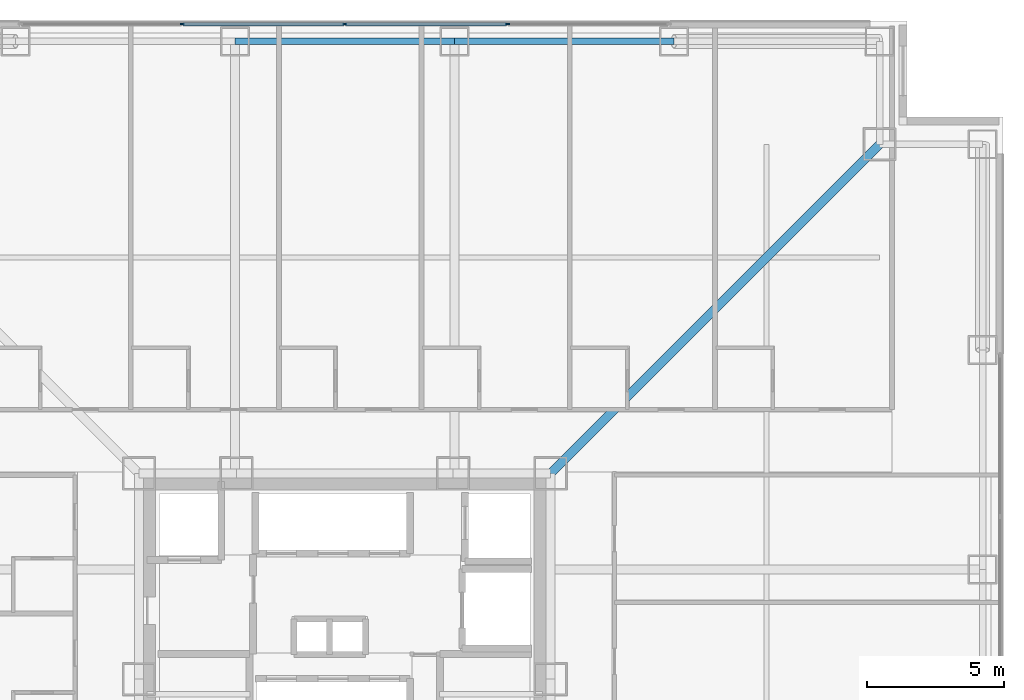
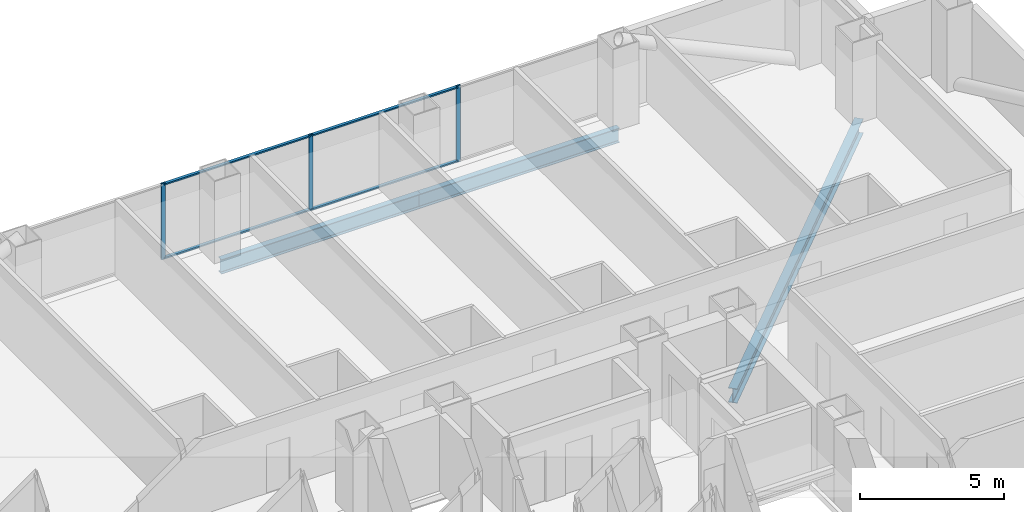
# One storey, part 14 of 23: 7 members, 3 beams, 1 element without a shape of its own.
"""IFC4 building model written with IfcOpenShell, lengths in metres."""

from ifc_helpers import new_model, si_unit, direction, frame, origin, origin_2d, place, context, subcontext, project, spatial, rectangle, i_section, extrude, material, layer, layer_set, material_profile, profile_set, type_object, element, aggregate, save


model = new_model("IFC4")

# Units and contexts
model_context = context("Model", 3, precision=1e-05, world=origin(), true_north=direction((0.0, 1.0)))
body_context = subcontext(model_context, "Body", "Model", "MODEL_VIEW")
ifc_project = project(units=[si_unit("LENGTHUNIT", "METRE"), si_unit("AREAUNIT", "SQUARE_METRE"), si_unit("VOLUMEUNIT", "CUBIC_METRE"), si_unit("PLANEANGLEUNIT", "RADIAN"), si_unit("MASSUNIT", "GRAM", prefix="KILO")], contexts=[model_context])

# Site, building, storey
site_placement = place(None, origin())
site = spatial("IfcSite", under=ifc_project, at=site_placement, CompositionType="ELEMENT")
building_placement = place(site_placement, origin())
building = spatial("IfcBuilding", under=site, at=building_placement, Name="Trevonay Congress Spire", CompositionType="ELEMENT")
storey_placement = place(building_placement, frame((0.0, 0.0, 34.0)))
storey = spatial("IfcBuildingStorey", under=building, at=storey_placement, Name="L07", CompositionType="ELEMENT", Elevation=34.0)

# Beams
ifc_material_1 = material(Name="Steel ASTM A572 Grade 50", Category="steel")
ifc_material_profile_1 = material_profile(ifc_material_1, i_section(OverallWidth=0.324951171875, OverallDepth=0.615966796875, WebThickness=0.013916015625, FlangeThickness=0.021484375, FilletRadius=0.01806640625, at=origin_2d()), Name="W610x174")
ifc_profile_set_1 = profile_set([ifc_material_profile_1], Name="Steel ASTM A572 Grade 50")
beam_type_1 = type_object("IfcBeamType", Name="BM-GIRD-W610X174", PredefinedType="BEAM", material=ifc_profile_set_1)
beam_placement = place(storey_placement, frame((7.5, 7.5, -0.55810546875), z_axis=(0.707106781187, 0.707106781187, 0.0), x_axis=(-0.707106781187, 0.707106781187, 0.0)))
element("IfcBeam", 1, at=beam_placement, inside=storey, type_object=beam_type_1, Name="L07 structural beam BM-L07-CDNE", PredefinedType="BEAM", context=body_context, shape_type="SweptSolid", body=[
    extrude(i_section(OverallWidth=0.324951171875, OverallDepth=0.615966796875, WebThickness=0.013916015625, FlangeThickness=0.021484375, FilletRadius=0.01806640625, at=origin_2d()), origin(), (0.0, 0.0, 1.0), 16.970458984375),
])
ifc_material_profile_2 = material_profile(ifc_material_1, i_section(OverallWidth=0.22998046875, OverallDepth=0.616943359375, WebThickness=0.01318359375, FlangeThickness=0.022216796875, FilletRadius=0.01611328125, at=origin_2d()), Name="W610x140")
ifc_profile_set_2 = profile_set([ifc_material_profile_2], Name="Steel ASTM A572 Grade 50")
beam_type_2 = type_object("IfcBeamType", Name="BM-RING-W610X140", PredefinedType="BEAM", material=ifc_profile_set_2)
for number, where, z_axis, x_axis, name in (
    (2, (-4.0, 23.25, -0.55859375), (1.0, 0.0, 0.0), (0.0, 1.0, 0.0), "L07 structural beam BM-L07-PN3"),
    (3, (4.0, 23.25, -0.55859375), (1.0, 0.0, 0.0), (0.0, 1.0, 0.0), "L07 structural beam BM-L07-PN4"),
):
    element("IfcBeam", number, at=place(storey_placement, frame(where, z_axis=z_axis, x_axis=x_axis)), inside=storey, type_object=beam_type_2, Name=name, PredefinedType="BEAM", context=body_context, shape_type="SweptSolid", body=[
        extrude(i_section(OverallWidth=0.22998046875, OverallDepth=0.616943359375, WebThickness=0.01318359375, FlangeThickness=0.022216796875, FilletRadius=0.01611328125, at=origin_2d()), origin(), (0.0, 0.0, 1.0), 8.0),
    ])

# Curtain wall, members
ifc_material_2 = material(Name="Pale Anodised Aluminium EN AW-6063-T6", Category="aluminium")
ifc_layer = layer(ifc_material_2, 0.179931640625, Name="Pale Anodised Aluminium EN AW-6063-T6")
ifc_layer_set = layer_set([ifc_layer], Name="Pale Anodised Aluminium EN AW-6063-T6")
curtain_wall_type = type_object("IfcCurtainWallType", Name="CW-SYS02-HOTEL-PALE-METAL", PredefinedType="NOTDEFINED", material=ifc_layer_set)
curtain_wall_placement = place(storey_placement, origin())
curtain_wall = element("IfcCurtainWall", 4, at=curtain_wall_placement, inside=storey, type_object=curtain_wall_type, Name="L07 N unitised curtain wall", PredefinedType="NOTDEFINED")
ifc_material_profile_3 = material_profile(ifc_material_2, rectangle(XDim=0.06005859375, YDim=0.159912109375, at=origin_2d()), Name="CW-MULLION-160-ALUMINIUM")
ifc_profile_set_3 = profile_set([ifc_material_profile_3], Name="Pale Anodised Aluminium EN AW-6063-T6")
member_type_1 = type_object("IfcMemberType", Name="CW-MULLION-160-ALUMINIUM", PredefinedType="MULLION", material=ifc_profile_set_3)
member_1_placement = place(storey_placement, frame((-5.925048828125, 23.8798828125, 0.0), z_axis=(0.0, 0.0, 1.0), x_axis=(0.0, 1.0, 0.0)))
member_1 = element("IfcMember", 5, at=member_1_placement, type_object=member_type_1, Name="CW02 mullion 2", PredefinedType="MULLION", context=body_context, shape_type="SweptSolid", body=[
    extrude(rectangle(XDim=0.06005859375, YDim=0.159912109375, at=origin_2d()), origin(), (0.0, 0.0, 1.0), 3.25),
])
member_2_placement = place(storey_placement, frame((0.0, 23.8798828125, 0.0), z_axis=(0.0, 0.0, 1.0), x_axis=(0.0, 1.0, 0.0)))
member_2 = element("IfcMember", 6, at=member_2_placement, type_object=member_type_1, Name="CW02 mullion 3", PredefinedType="MULLION", context=body_context, shape_type="SweptSolid", body=[
    extrude(rectangle(XDim=0.06005859375, YDim=0.159912109375, at=origin_2d()), origin(), (0.0, 0.0, 1.0), 3.25),
])
member_3_placement = place(storey_placement, frame((5.925048828125, 23.8798828125, 0.0), z_axis=(0.0, 0.0, 1.0), x_axis=(0.0, 1.0, 0.0)))
member_3 = element("IfcMember", 7, at=member_3_placement, type_object=member_type_1, Name="CW02 mullion 4", PredefinedType="MULLION", context=body_context, shape_type="SweptSolid", body=[
    extrude(rectangle(XDim=0.06005859375, YDim=0.159912109375, at=origin_2d()), origin(), (0.0, 0.0, 1.0), 3.25),
])
ifc_material_profile_4 = material_profile(ifc_material_2, rectangle(XDim=0.1201171875, YDim=0.06005859375, at=origin_2d()), Name="CW-TRANSOM-120-ALUMINIUM")
ifc_profile_set_4 = profile_set([ifc_material_profile_4], Name="Pale Anodised Aluminium EN AW-6063-T6")
member_type_2 = type_object("IfcMemberType", Name="CW-TRANSOM-120-ALUMINIUM", PredefinedType="USERDEFINED", material=ifc_profile_set_4)
member_4_placement = place(storey_placement, frame((-5.89501953125, 23.8798828125, 0.06005859375), z_axis=(1.0, 0.0, 0.0), x_axis=(0.0, 1.0, 0.0)))
member_4 = element("IfcMember", 8, at=member_4_placement, type_object=member_type_2, Name="CW02 transom 2.1", ObjectType="TRANSOM", PredefinedType="USERDEFINED", context=body_context, shape_type="SweptSolid", body=[
    extrude(rectangle(XDim=0.1201171875, YDim=0.06005859375, at=origin_2d()), origin(), (0.0, 0.0, 1.0), 5.864990234375),
])
member_5_placement = place(storey_placement, frame((-5.89501953125, 23.8798828125, 3.18994140625), z_axis=(1.0, 0.0, 0.0), x_axis=(0.0, 1.0, 0.0)))
member_5 = element("IfcMember", 9, at=member_5_placement, type_object=member_type_2, Name="CW02 transom 2.2", ObjectType="TRANSOM", PredefinedType="USERDEFINED", context=body_context, shape_type="SweptSolid", body=[
    extrude(rectangle(XDim=0.1201171875, YDim=0.06005859375, at=origin_2d()), origin(), (0.0, 0.0, 1.0), 5.864990234375),
])
member_6_placement = place(storey_placement, frame((0.030029296875, 23.8798828125, 0.06005859375), z_axis=(1.0, 0.0, 0.0), x_axis=(0.0, 1.0, 0.0)))
member_6 = element("IfcMember", 10, at=member_6_placement, type_object=member_type_2, Name="CW02 transom 3.1", ObjectType="TRANSOM", PredefinedType="USERDEFINED", context=body_context, shape_type="SweptSolid", body=[
    extrude(rectangle(XDim=0.1201171875, YDim=0.06005859375, at=origin_2d()), origin(), (0.0, 0.0, 1.0), 5.864990234375),
])
member_7_placement = place(storey_placement, frame((0.030029296875, 23.8798828125, 3.18994140625), z_axis=(1.0, 0.0, 0.0), x_axis=(0.0, 1.0, 0.0)))
member_7 = element("IfcMember", 11, at=member_7_placement, type_object=member_type_2, Name="CW02 transom 3.2", ObjectType="TRANSOM", PredefinedType="USERDEFINED", context=body_context, shape_type="SweptSolid", body=[
    extrude(rectangle(XDim=0.1201171875, YDim=0.06005859375, at=origin_2d()), origin(), (0.0, 0.0, 1.0), 5.864990234375),
])
aggregate(curtain_wall, [member_1, member_2, member_3, member_4, member_5, member_6, member_7])

save(model, "model.ifc")
